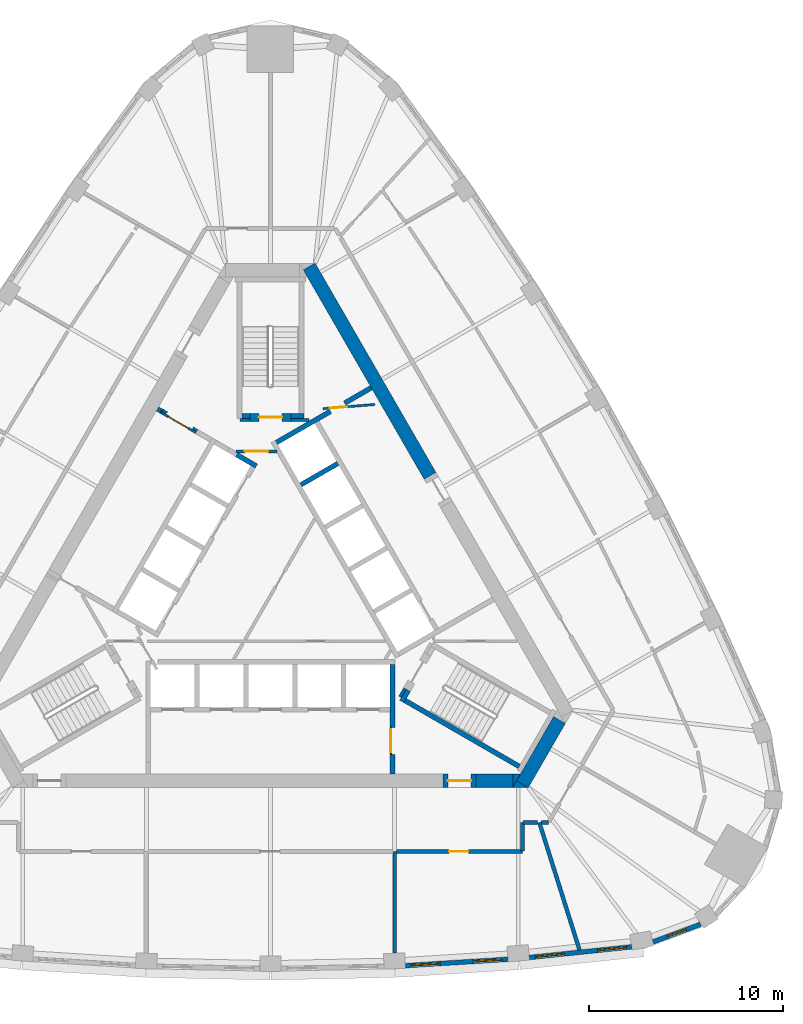
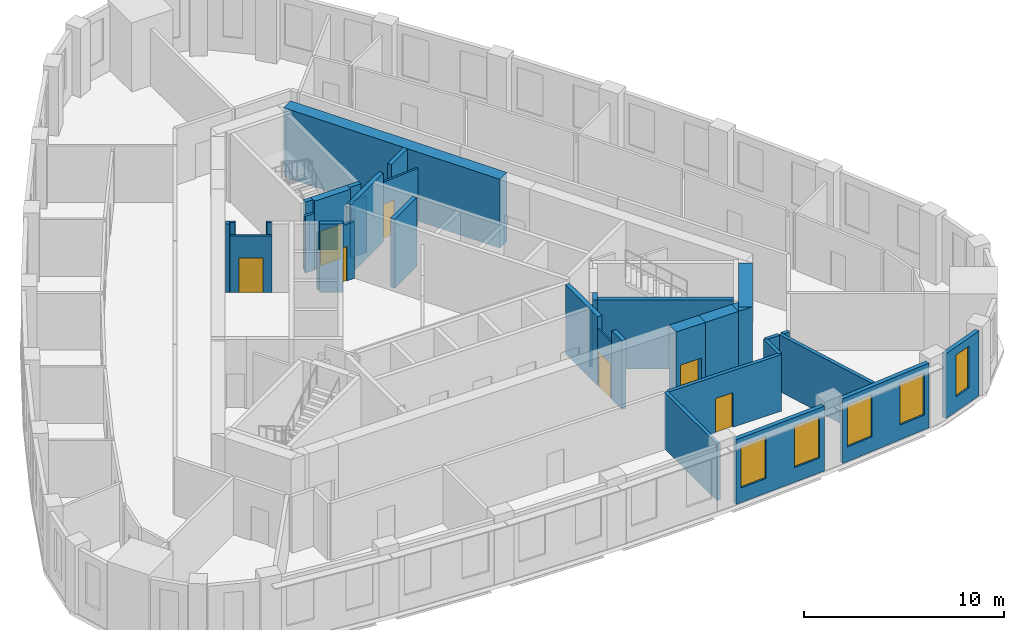
# One storey, part 6 of 11: 36 walls, 7 doors, 5 windows, 12 openings.
"""IFC4 building model written with IfcOpenShell, lengths in metres."""

from ifc_helpers import new_model, si_unit, direction, frame, frame_2d, origin, place, context, subcontext, project, spatial, polyline, rectangle, outline, extrude, material, layer, layer_set, type_object, element, fill, save


model = new_model("IFC4")

# Units and contexts
model_context = context("Model", 3, precision=1e-05, world=origin(), true_north=direction((0.0, 1.0)))
body_context = subcontext(model_context, "Body", "Model", "MODEL_VIEW")
ifc_project = project(units=[si_unit("LENGTHUNIT", "METRE"), si_unit("AREAUNIT", "SQUARE_METRE"), si_unit("VOLUMEUNIT", "CUBIC_METRE"), si_unit("PLANEANGLEUNIT", "RADIAN"), si_unit("MASSUNIT", "GRAM", prefix="KILO")], contexts=[model_context])

# Site, building, storey
site_placement = place(None, origin())
site = spatial("IfcSite", under=ifc_project, at=site_placement, CompositionType="ELEMENT")
building_placement = place(site_placement, origin())
building = spatial("IfcBuilding", under=site, at=building_placement, Name="Mestral Congress Tower", CompositionType="ELEMENT")
storey_placement = place(building_placement, frame((0.0, 0.0, 210.0)))
storey = spatial("IfcBuildingStorey", under=building, at=storey_placement, Name="L49", CompositionType="ELEMENT", Elevation=210.0)

# Walls
ifc_material_1 = material(Name="Fire-rated board partition")
ifc_layer_1 = layer(ifc_material_1, 0.14990234375)
ifc_layer_set_1 = layer_set([ifc_layer_1], Name="Fire-rated board partition")
wall_type_1 = type_object("IfcWallType", Name="Core partition 150", PredefinedType="PARTITIONING", material=ifc_layer_set_1)
wall_1_placement = place(storey_placement, frame((1.050048828125, 8.62548828125, 0.0), z_axis=(0.0, 0.0, 1.0), x_axis=(1.0, 0.0, 0.0)))
element("IfcWall", 1, at=wall_1_placement, inside=storey, type_object=wall_type_1, Name="L49 core wall", PredefinedType="PARTITIONING", context=body_context, shape_type="SweptSolid", body=[
    extrude(rectangle(XDim=0.9287109375, YDim=0.14990234375, at=frame_2d((0.46435546875, 0.0))), origin(), (0.0, 0.0, 1.0), 3.449951171875),
])
wall_2_placement = place(storey_placement, frame((-1.56396484375, 8.62548828125, 0.0), z_axis=(0.0, 0.0, 1.0), x_axis=(1.0, 0.0, 0.0)))
element("IfcWall", 2, at=wall_2_placement, inside=storey, type_object=wall_type_1, Name="L49 core wall", PredefinedType="PARTITIONING", context=body_context, shape_type="SweptSolid", body=[
    extrude(rectangle(XDim=0.513916015625, YDim=0.14990234375, at=frame_2d((0.2568359375, 0.0))), origin(), (0.0, 0.0, 1.0), 3.449951171875),
])
wall_3_placement = place(storey_placement, frame((6.68798828125, -5.667236328125, 0.0), z_axis=(0.0, 0.0, 1.0), x_axis=(0.499834152157, 0.86612113491, 0.0)))
element("IfcWall", 3, at=wall_3_placement, inside=storey, type_object=wall_type_1, Name="L49 core wall", PredefinedType="PARTITIONING", context=body_context, shape_type="SweptSolid", body=[
    extrude(rectangle(XDim=0.504638671875, YDim=0.14990234375, at=frame_2d((0.25244140625, 0.0))), origin(), (0.0, 0.0, 1.0), 3.449951171875),
])

# Wall, opening, door
wall_4_placement = place(storey_placement, frame((-1.765380859375, 7.0, 0.0), z_axis=(0.0, 0.0, 1.0), x_axis=(1.0, 0.0, 0.0)))
wall_4 = element("IfcWall", 4, at=wall_4_placement, inside=storey, type_object=wall_type_1, Name="L49 door wall", PredefinedType="PARTITIONING", context=body_context, shape_type="SweptSolid", body=[
    extrude(rectangle(XDim=2.10009765625, YDim=0.14990234375, at=frame_2d((1.050048828125, 0.0))), origin(), (0.0, 0.0, 1.0), 3.449951171875),
])
opening_1_placement = place(wall_4_placement, frame((0.449951171875, 0.0, 0.0)))
opening_1 = element("IfcOpeningElement", 5, at=opening_1_placement, cuts=wall_4, Name="Opening CD2-FF", PredefinedType="OPENING", context=body_context, shape_type="SweptSolid", body=[
    extrude(rectangle(XDim=1.199951171875, YDim=2.10009765625, at=frame_2d((0.60009765625, 1.050048828125))), frame((0.0, 0.0849609375, 0.0), z_axis=(0.0, -1.0, 0.0), x_axis=(1.0, 0.0, 0.0)), (0.0, 0.0, 1.0), 0.169921875),
])
ifc_material_2 = material(Name="Fire-rated steel door set", Category="steel")
door_type_1 = type_object("IfcDoorType", Name="Core door CD 1200x2100", OperationType="SINGLE_SWING_LEFT", PredefinedType="DOOR", material=ifc_material_2)
door_1_placement = place(opening_1_placement, origin())
door_1 = element("IfcDoor", 6, at=door_1_placement, inside=storey, type_object=door_type_1, Name="Door CD2-FF", OperationType="SINGLE_SWING_LEFT", OverallHeight=2.10009765625, OverallWidth=1.199951171875, PredefinedType="DOOR", context=body_context, shape_type="SweptSolid", body=[
    extrude(rectangle(XDim=1.199951171875, YDim=2.10009765625, at=frame_2d((0.60009765625, 1.050048828125))), frame((0.0, 0.02490234375, 0.0), z_axis=(0.0, -1.0, 0.0), x_axis=(1.0, 0.0, 0.0)), (0.0, 0.0, 1.0), 0.050048828125),
])
fill(opening_1, door_1)

ifc_layer_2 = layer(ifc_material_1, 0.1201171875)
ifc_layer_set_2 = layer_set([ifc_layer_2], Name="Fire-rated board partition")
wall_type_2 = type_object("IfcWallType", Name="Core partition 150 door-wall 120", PredefinedType="PARTITIONING", material=ifc_layer_set_2)
wall_5_placement = place(storey_placement, frame((5.3984375, 9.418701171875, 0.0), z_axis=(0.0, 0.0, 1.0), x_axis=(-0.996653416376, -0.081743303248, 0.0)))
wall_5 = element("IfcWall", 7, at=wall_5_placement, inside=storey, type_object=wall_type_2, Name="L49 door wall", PredefinedType="PARTITIONING", context=body_context, shape_type="SweptSolid", body=[
    extrude(rectangle(XDim=2.699951171875, YDim=0.119873046875, at=frame_2d((1.35009765625, 0.0))), origin(), (0.0, 0.0, 1.0), 3.449951171875),
])
opening_2_placement = place(wall_5_placement, frame((1.449951171875, 0.0, 0.0)))
opening_2 = element("IfcOpeningElement", 8, at=opening_2_placement, cuts=wall_5, Name="Opening TD2", PredefinedType="OPENING", context=body_context, shape_type="SweptSolid", body=[
    extrude(rectangle(XDim=0.89990234375, YDim=2.10009765625, at=frame_2d((0.449951171875, 1.050048828125))), frame((0.0, 0.06982421875, 0.0), z_axis=(0.0, -1.0, 0.0), x_axis=(1.0, 0.0, 0.0)), (0.0, 0.0, 1.0), 0.139892578125),
])
door_type_2 = type_object("IfcDoorType", Name="Core door SR 900x2100", OperationType="SINGLE_SWING_LEFT", PredefinedType="DOOR", material=ifc_material_2)
door_2_placement = place(opening_2_placement, origin())
door_2 = element("IfcDoor", 9, at=door_2_placement, inside=storey, type_object=door_type_2, Name="Door TD2", OperationType="SINGLE_SWING_LEFT", OverallHeight=2.10009765625, OverallWidth=0.89990234375, PredefinedType="DOOR", context=body_context, shape_type="SweptSolid", body=[
    extrude(rectangle(XDim=0.89990234375, YDim=2.10009765625, at=frame_2d((0.449951171875, 1.050048828125))), frame((0.0, 0.02490234375, 0.0), z_axis=(0.0, -1.0, 0.0), x_axis=(1.0, 0.0, 0.0)), (0.0, 0.0, 1.0), 0.050048828125),
])
fill(opening_2, door_2)

wall_6_placement = place(storey_placement, frame((-5.65869140625, 9.01171875, 0.0), z_axis=(0.0, 0.0, 1.0), x_axis=(0.866009402589, -0.500027713859, 0.0)))
wall_6 = element("IfcWall", 10, at=wall_6_placement, inside=storey, type_object=wall_type_2, Name="L49 door wall", PredefinedType="PARTITIONING", context=body_context, shape_type="SweptSolid", body=[
    extrude(rectangle(XDim=2.10009765625, YDim=0.1201171875, at=frame_2d((1.050048828125, 0.0))), origin(), (0.0, 0.0, 1.0), 3.449951171875),
])
opening_3_placement = place(wall_6_placement, frame((0.449951171875, 0.0, 0.0)))
opening_3 = element("IfcOpeningElement", 11, at=opening_3_placement, cuts=wall_6, Name="Opening LB2-WL2", PredefinedType="OPENING", context=body_context, shape_type="SweptSolid", body=[
    extrude(rectangle(XDim=1.199951171875, YDim=2.10009765625, at=frame_2d((0.60009765625, 1.050048828125))), frame((0.0, 0.070068359375, 0.0), z_axis=(0.0, -1.0, 0.0), x_axis=(1.0, 0.0, 0.0)), (0.0, 0.0, 1.0), 0.14013671875),
])
door_type_3 = type_object("IfcDoorType", Name="Core door LB 1200x2100", OperationType="SINGLE_SWING_LEFT", PredefinedType="DOOR", material=ifc_material_2)
door_3_placement = place(opening_3_placement, origin())
door_3 = element("IfcDoor", 12, at=door_3_placement, inside=storey, type_object=door_type_3, Name="Door LB2-WL2", OperationType="SINGLE_SWING_LEFT", OverallHeight=2.10009765625, OverallWidth=1.199951171875, PredefinedType="DOOR", context=body_context, shape_type="SweptSolid", body=[
    extrude(rectangle(XDim=1.199951171875, YDim=2.10009765625, at=frame_2d((0.60009765625, 1.050048828125))), frame((0.0, 0.02490234375, 0.0), z_axis=(0.0, -1.0, 0.0), x_axis=(1.0, 0.0, 0.0)), (0.0, 0.0, 1.0), 0.050048828125),
])
fill(opening_3, door_3)

ifc_layer_3 = layer(ifc_material_1, 0.090087890625)
ifc_layer_set_3 = layer_set([ifc_layer_3], Name="Fire-rated board partition")
wall_type_3 = type_object("IfcWallType", Name="Core partition 150 door-wall 90", PredefinedType="PARTITIONING", material=ifc_layer_set_3)
wall_7_placement = place(storey_placement, frame((6.219970703125, -7.23681640625, 0.0), z_axis=(0.0, 0.0, 1.0), x_axis=(0.0, -1.0, 0.0)))
wall_7 = element("IfcWall", 13, at=wall_7_placement, inside=storey, type_object=wall_type_3, Name="L49 door wall", PredefinedType="PARTITIONING", context=body_context, shape_type="SweptSolid", body=[
    extrude(rectangle(XDim=1.400146484375, YDim=0.090087890625, at=frame_2d((0.7001953125, 0.0))), origin(), (0.0, 0.0, 1.0), 3.449951171875),
])
opening_4_placement = place(wall_7_placement, frame((0.10009765625, 0.0, 0.0)))
opening_4 = element("IfcOpeningElement", 14, at=opening_4_placement, cuts=wall_7, Name="Opening LB0-WL1", PredefinedType="OPENING", context=body_context, shape_type="SweptSolid", body=[
    extrude(rectangle(XDim=1.199951171875, YDim=2.10009765625, at=frame_2d((0.60009765625, 1.050048828125))), frame((0.0, 0.054931640625, 0.0), z_axis=(0.0, -1.0, 0.0), x_axis=(1.0, 0.0, 0.0)), (0.0, 0.0, 1.0), 0.110107421875),
])
door_4_placement = place(opening_4_placement, origin())
door_4 = element("IfcDoor", 15, at=door_4_placement, inside=storey, type_object=door_type_3, Name="Door LB0-WL1", OperationType="SINGLE_SWING_LEFT", OverallHeight=2.10009765625, OverallWidth=1.199951171875, PredefinedType="DOOR", context=body_context, shape_type="SweptSolid", body=[
    extrude(rectangle(XDim=1.199951171875, YDim=2.10009765625, at=frame_2d((0.60009765625, 1.050048828125))), frame((0.0, 0.02490234375, 0.0), z_axis=(0.0, -1.0, 0.0), x_axis=(1.0, 0.0, 0.0)), (0.0, 0.0, 1.0), 0.050048828125),
])
fill(opening_4, door_4)

# Walls
ifc_material_3 = material(Name="Concrete C60/75", Category="concrete")
ifc_layer_4 = layer(ifc_material_3, 0.699951171875)
ifc_layer_set_4 = layer_set([ifc_layer_4], Name="Concrete C60/75")
wall_type_4 = type_object("IfcWallType", Name="Core wall RC 700", PredefinedType="SOLIDWALL", material=ifc_layer_set_4)
wall_8_placement = place(storey_placement, frame((13.002685546875, -10.1787109375, 0.0), z_axis=(0.0, 0.0, 1.0), x_axis=(0.499972675833, 0.866041178825, 0.0)))
element("IfcWall", 16, at=wall_8_placement, inside=storey, type_object=wall_type_4, Name="L49 core wall", PredefinedType="SOLIDWALL", context=body_context, shape_type="SweptSolid", body=[
    extrude(rectangle(XDim=3.828857421875, YDim=0.699951171875, at=frame_2d((1.91455078125, 0.0))), origin(), (0.0, 0.0, 1.0), 4.199951171875),
])
placement = place(storey_placement, origin())
element("IfcWall", 17, at=placement, inside=storey, type_object=wall_type_4, Name="L49 core wall", PredefinedType="SOLIDWALL", context=body_context, shape_type="SweptSolid", body=[
    extrude(outline(polyline([(12.698486328125, -10.00537109375), (13.295654296875, -10.35009765625), (12.49951171875, -10.35009765625), (12.698486328125, -10.00537109375)])), origin(), (0.0, 0.0, 1.0), 4.199951171875),
])
wall_10_placement = place(storey_placement, frame((10.6044921875, -10.0, 0.0), z_axis=(0.0, 0.0, 1.0), x_axis=(1.0, 0.0, 0.0)))
element("IfcWall", 18, at=wall_10_placement, inside=storey, type_object=wall_type_4, Name="L49 core wall", PredefinedType="SOLIDWALL", context=body_context, shape_type="SweptSolid", body=[
    extrude(rectangle(XDim=1.909423828125, YDim=0.699951171875, at=frame_2d((0.95458984375, 0.0))), origin(), (0.0, 0.0, 1.0), 4.199951171875),
])
element("IfcWall", 19, at=placement, inside=storey, type_object=wall_type_4, Name="L49 core wall", PredefinedType="SOLIDWALL", context=body_context, shape_type="SweptSolid", body=[
    extrude(outline(polyline([(12.90380859375, -9.64990234375), (12.515869140625, -10.322021484375), (12.515869140625, -9.64990234375), (12.90380859375, -9.64990234375)])), origin(), (0.0, 0.0, 1.0), 4.199951171875),
])
wall_12_placement = place(storey_placement, frame((8.235107421875, 5.736083984375, 0.0), z_axis=(0.0, 0.0, 1.0), x_axis=(-0.499983401189, 0.8660349869, 0.0)))
element("IfcWall", 20, at=wall_12_placement, inside=storey, type_object=wall_type_4, Name="L49 core wall", PredefinedType="SOLIDWALL", context=body_context, shape_type="SweptSolid", body=[
    extrude(rectangle(XDim=12.47216796875, YDim=0.699951171875, at=frame_2d((6.236083984375, 0.0))), origin(), (0.0, 0.0, 1.0), 4.199951171875),
])

# Wall, opening, door
wall_13_placement = place(storey_placement, frame((10.6044921875, -10.0, 0.0), z_axis=(0.0, 0.0, 1.0), x_axis=(-1.0, 0.0, 0.0)))
wall_13 = element("IfcWall", 21, at=wall_13_placement, inside=storey, type_object=wall_type_4, Name="L49 door wall", PredefinedType="SOLIDWALL", context=body_context, shape_type="SweptSolid", body=[
    extrude(rectangle(XDim=1.699951171875, YDim=0.699951171875, at=frame_2d((0.85009765625, 0.0))), origin(), (0.0, 0.0, 1.0), 4.199951171875),
])
opening_5_placement = place(wall_13_placement, frame((0.25, 0.0, 0.0)))
opening_5 = element("IfcOpeningElement", 22, at=opening_5_placement, cuts=wall_13, Name="Opening XD1", PredefinedType="OPENING", context=body_context, shape_type="SweptSolid", body=[
    extrude(rectangle(XDim=1.199951171875, YDim=2.10009765625, at=frame_2d((0.60009765625, 1.050048828125))), frame((0.0, 0.35986328125, 0.0), z_axis=(0.0, -1.0, 0.0), x_axis=(1.0, 0.0, 0.0)), (0.0, 0.0, 1.0), 0.719970703125),
])
door_type_4 = type_object("IfcDoorType", Name="Core door XD 1200x2100", OperationType="SINGLE_SWING_LEFT", PredefinedType="DOOR", material=ifc_material_2)
door_5_placement = place(opening_5_placement, origin())
door_5 = element("IfcDoor", 23, at=door_5_placement, inside=storey, type_object=door_type_4, Name="Door XD1", OperationType="SINGLE_SWING_LEFT", OverallHeight=2.10009765625, OverallWidth=1.199951171875, PredefinedType="DOOR", context=body_context, shape_type="SweptSolid", body=[
    extrude(rectangle(XDim=1.199951171875, YDim=2.10009765625, at=frame_2d((0.60009765625, 1.050048828125))), frame((0.0, 0.02490234375, 0.0), z_axis=(0.0, -1.0, 0.0), x_axis=(1.0, 0.0, 0.0)), (0.0, 0.0, 1.0), 0.050048828125),
])
fill(opening_5, door_5)

# Wall, openings, windows
ifc_material_4 = material(Name="Precast concrete C40/50 with limestone facing", Category="masonry")
ifc_layer_5 = layer(ifc_material_4, 0.239990234375)
ifc_layer_set_5 = layer_set([ifc_layer_5], Name="Precast concrete C40/50 with limestone facing")
wall_type_5 = type_object("IfcWallType", Name="Facade stone wall 240", PredefinedType="SOLIDWALL", material=ifc_layer_set_5)
wall_14_placement = place(storey_placement, frame((6.965087890625, -19.54296875, 0.0), z_axis=(0.0, 0.0, 1.0), x_axis=(0.9980633213, 0.062206162685, 0.0)))
wall_14 = element("IfcWall", 24, at=wall_14_placement, inside=storey, type_object=wall_type_5, Name="Facade wall F0-04", PredefinedType="SOLIDWALL", context=body_context, shape_type="SweptSolid", body=[
    extrude(rectangle(XDim=5.29833984375, YDim=0.239990234375, at=frame_2d((2.649169921875, 0.0))), origin(), (0.0, 0.0, 1.0), 3.949951171875),
])
opening_6_placement = place(wall_14_placement, frame((0.294677734375, 0.0, 0.89990234375)))
opening_6 = element("IfcOpeningElement", 25, at=opening_6_placement, cuts=wall_14, Name="Opening W4", PredefinedType="OPENING", context=body_context, shape_type="SweptSolid", body=[
    extrude(rectangle(XDim=1.5, YDim=2.550048828125, at=frame_2d((0.75, 1.27490234375))), frame((0.0, 0.1298828125, 0.0), z_axis=(0.0, -1.0, 0.0), x_axis=(1.0, 0.0, 0.0)), (0.0, 0.0, 1.0), 0.260009765625),
])
opening_7_placement = place(wall_14_placement, frame((3.503662109375, 0.0, 0.89990234375)))
opening_7 = element("IfcOpeningElement", 26, at=opening_7_placement, cuts=wall_14, Name="Opening W4", PredefinedType="OPENING", context=body_context, shape_type="SweptSolid", body=[
    extrude(rectangle(XDim=1.5, YDim=2.550048828125, at=frame_2d((0.75, 1.27490234375))), frame((0.0, 0.1298828125, 0.0), z_axis=(0.0, -1.0, 0.0), x_axis=(1.0, 0.0, 0.0)), (0.0, 0.0, 1.0), 0.260009765625),
])
ifc_material_5 = material(Name="Clear low-emissivity double glazing", Category="glass")
window_type_1 = type_object("IfcWindowType", Name="Facade punched window 1500 x 2550 sill 900", PartitioningType="SINGLE_PANEL", PredefinedType="WINDOW", material=ifc_material_5)
window_1_placement = place(opening_6_placement, origin())
window_1 = element("IfcWindow", 27, at=window_1_placement, inside=storey, type_object=window_type_1, Name="Window F0-04a", OverallHeight=2.550048828125, OverallWidth=1.5, PartitioningType="SINGLE_PANEL", PredefinedType="WINDOW", context=body_context, shape_type="SweptSolid", body=[
    extrude(rectangle(XDim=1.5, YDim=2.550048828125, at=frame_2d((0.75, 1.27490234375))), frame((0.0, 0.0400390625, 0.0), z_axis=(0.0, -1.0, 0.0), x_axis=(1.0, 0.0, 0.0)), (0.0, 0.0, 1.0), 0.06005859375),
])
fill(opening_6, window_1)
window_2_placement = place(opening_7_placement, origin())
window_2 = element("IfcWindow", 28, at=window_2_placement, inside=storey, type_object=window_type_1, Name="Window F0-04b", OverallHeight=2.550048828125, OverallWidth=1.5, PartitioningType="SINGLE_PANEL", PredefinedType="WINDOW", context=body_context, shape_type="SweptSolid", body=[
    extrude(rectangle(XDim=1.5, YDim=2.550048828125, at=frame_2d((0.75, 1.27490234375))), frame((0.0, 0.0400390625, 0.0), z_axis=(0.0, -1.0, 0.0), x_axis=(1.0, 0.0, 0.0)), (0.0, 0.0, 1.0), 0.06005859375),
])
fill(opening_7, window_2)

wall_15_placement = place(storey_placement, frame((13.362060546875, -19.12109375, 0.0), z_axis=(0.0, 0.0, 1.0), x_axis=(0.994621961215, 0.103571976272, 0.0)))
wall_15 = element("IfcWall", 29, at=wall_15_placement, inside=storey, type_object=wall_type_5, Name="Facade wall F0-05", PredefinedType="SOLIDWALL", context=body_context, shape_type="SweptSolid", body=[
    extrude(rectangle(XDim=5.310791015625, YDim=0.239990234375, at=frame_2d((2.6552734375, 0.0))), origin(), (0.0, 0.0, 1.0), 3.949951171875),
])
opening_8_placement = place(wall_15_placement, frame((0.306396484375, 0.0, 0.89990234375)))
opening_8 = element("IfcOpeningElement", 30, at=opening_8_placement, cuts=wall_15, Name="Opening W4", PredefinedType="OPENING", context=body_context, shape_type="SweptSolid", body=[
    extrude(rectangle(XDim=1.5, YDim=2.550048828125, at=frame_2d((0.75, 1.27490234375))), frame((0.0, 0.1298828125, 0.0), z_axis=(0.0, -1.0, 0.0), x_axis=(1.0, 0.0, 0.0)), (0.0, 0.0, 1.0), 0.260009765625),
])
opening_9_placement = place(wall_15_placement, frame((3.539306640625, 0.0, 0.89990234375)))
opening_9 = element("IfcOpeningElement", 31, at=opening_9_placement, cuts=wall_15, Name="Opening W4", PredefinedType="OPENING", context=body_context, shape_type="SweptSolid", body=[
    extrude(rectangle(XDim=1.5, YDim=2.550048828125, at=frame_2d((0.75, 1.27490234375))), frame((0.0, 0.1298828125, 0.0), z_axis=(0.0, -1.0, 0.0), x_axis=(1.0, 0.0, 0.0)), (0.0, 0.0, 1.0), 0.260009765625),
])
window_3_placement = place(opening_8_placement, origin())
window_3 = element("IfcWindow", 32, at=window_3_placement, inside=storey, type_object=window_type_1, Name="Window F0-05a", OverallHeight=2.550048828125, OverallWidth=1.5, PartitioningType="SINGLE_PANEL", PredefinedType="WINDOW", context=body_context, shape_type="SweptSolid", body=[
    extrude(rectangle(XDim=1.5, YDim=2.550048828125, at=frame_2d((0.75, 1.27490234375))), frame((0.0, 0.0400390625, 0.0), z_axis=(0.0, -1.0, 0.0), x_axis=(1.0, 0.0, 0.0)), (0.0, 0.0, 1.0), 0.06005859375),
])
fill(opening_8, window_3)
window_4_placement = place(opening_9_placement, origin())
window_4 = element("IfcWindow", 33, at=window_4_placement, inside=storey, type_object=window_type_1, Name="Window F0-05b", OverallHeight=2.550048828125, OverallWidth=1.5, PartitioningType="SINGLE_PANEL", PredefinedType="WINDOW", context=body_context, shape_type="SweptSolid", body=[
    extrude(rectangle(XDim=1.5, YDim=2.550048828125, at=frame_2d((0.75, 1.27490234375))), frame((0.0, 0.0400390625, 0.0), z_axis=(0.0, -1.0, 0.0), x_axis=(1.0, 0.0, 0.0)), (0.0, 0.0, 1.0), 0.06005859375),
])
fill(opening_9, window_4)

# Wall, opening, window
wall_16_placement = place(storey_placement, frame((19.747802734375, -18.31396484375, 0.0), z_axis=(0.0, 0.0, 1.0), x_axis=(0.937569171184, 0.347798863203, 0.0)))
wall_16 = element("IfcWall", 34, at=wall_16_placement, inside=storey, type_object=wall_type_5, Name="Facade wall K0-0", PredefinedType="SOLIDWALL", context=body_context, shape_type="SweptSolid", body=[
    extrude(rectangle(XDim=2.609130859375, YDim=0.239990234375, at=frame_2d((1.3046875, 0.0))), origin(), (0.0, 0.0, 1.0), 3.949951171875),
])
opening_10_placement = place(wall_16_placement, frame((0.8046875, 0.0, 0.89990234375)))
opening_10 = element("IfcOpeningElement", 35, at=opening_10_placement, cuts=wall_16, Name="Opening W5", PredefinedType="OPENING", context=body_context, shape_type="SweptSolid", body=[
    extrude(rectangle(XDim=1.0, YDim=2.550048828125, at=frame_2d((0.5, 1.27490234375))), frame((0.0, 0.1298828125, 0.0), z_axis=(0.0, -1.0, 0.0), x_axis=(1.0, 0.0, 0.0)), (0.0, 0.0, 1.0), 0.260009765625),
])
window_type_2 = type_object("IfcWindowType", Name="Facade punched window 1000 x 2550 sill 900", PartitioningType="SINGLE_PANEL", PredefinedType="WINDOW", material=ifc_material_5)
window_5_placement = place(opening_10_placement, origin())
window_5 = element("IfcWindow", 36, at=window_5_placement, inside=storey, type_object=window_type_2, Name="Window K0-0", OverallHeight=2.550048828125, OverallWidth=1.0, PartitioningType="SINGLE_PANEL", PredefinedType="WINDOW", context=body_context, shape_type="SweptSolid", body=[
    extrude(rectangle(XDim=1.0, YDim=2.550048828125, at=frame_2d((0.5, 1.27490234375))), frame((0.0, 0.0400390625, 0.0), z_axis=(0.0, -1.0, 0.0), x_axis=(1.0, 0.0, 0.0)), (0.0, 0.0, 1.0), 0.06005859375),
])
fill(opening_10, window_5)

# Walls
ifc_material_6 = material(Name="Dense masonry wall, plastered", Category="masonry")
ifc_layer_6 = layer(ifc_material_6, 0.199951171875)
ifc_layer_set_6 = layer_set([ifc_layer_6], Name="Dense masonry wall, plastered")
wall_type_6 = type_object("IfcWallType", Name="Office tenancy wall 200", PredefinedType="PARTITIONING", material=ifc_layer_set_6)
wall_17_placement = place(storey_placement, frame((6.416748046875, -13.64990234375, 0.0), z_axis=(0.0, 0.0, 1.0), x_axis=(0.0, -1.0, 0.0)))
element("IfcWall", 37, at=wall_17_placement, inside=storey, type_object=wall_type_6, Name="Tenancy wall", PredefinedType="PARTITIONING", context=body_context, shape_type="SweptSolid", body=[
    extrude(rectangle(XDim=5.246826171875, YDim=0.199951171875, at=frame_2d((2.62353515625, 0.0))), origin(), (0.0, 0.0, 1.0), 3.449951171875),
])
wall_18_placement = place(storey_placement, frame((13.875244140625, -12.14990234375, 0.0), z_axis=(0.0, 0.0, 1.0), x_axis=(0.3005606746, -0.953762696316, 0.0)))
element("IfcWall", 38, at=wall_18_placement, inside=storey, type_object=wall_type_6, Name="Tenancy wall", PredefinedType="PARTITIONING", context=body_context, shape_type="SweptSolid", body=[
    extrude(rectangle(XDim=6.900390625, YDim=0.199951171875, at=frame_2d((3.4501953125, 0.0))), origin(), (0.0, 0.0, 1.0), 3.449951171875),
])

# Wall, opening, door
wall_19_placement = place(storey_placement, frame((6.516845703125, -13.64990234375, 0.0), z_axis=(0.0, 0.0, 1.0), x_axis=(1.0, 0.0, 0.0)))
wall_19 = element("IfcWall", 39, at=wall_19_placement, inside=storey, type_object=wall_type_6, Name="Tenancy wall", PredefinedType="PARTITIONING", context=body_context, shape_type="SweptSolid", body=[
    extrude(rectangle(XDim=6.483154296875, YDim=0.199951171875, at=frame_2d((3.24169921875, 0.0))), origin(), (0.0, 0.0, 1.0), 3.449951171875),
])
opening_11_placement = place(wall_19_placement, frame((2.699951171875, 0.0, 0.0)))
opening_11 = element("IfcOpeningElement", 40, at=opening_11_placement, cuts=wall_19, Name="Opening O06-003", PredefinedType="OPENING", context=body_context, shape_type="SweptSolid", body=[
    extrude(rectangle(XDim=1.0, YDim=2.10009765625, at=frame_2d((0.5, 1.050048828125))), frame((0.0, 0.10986328125, 0.0), z_axis=(0.0, -1.0, 0.0), x_axis=(1.0, 0.0, 0.0)), (0.0, 0.0, 1.0), 0.219970703125),
])
ifc_material_7 = material(Name="Fire-rated timber door set", Category="wood")
door_type_5 = type_object("IfcDoorType", Name="Office tenancy entrance door 1000x2100", OperationType="SINGLE_SWING_LEFT", PredefinedType="DOOR", material=ifc_material_7)
door_6_placement = place(opening_11_placement, origin())
door_6 = element("IfcDoor", 41, at=door_6_placement, inside=storey, type_object=door_type_5, Name="Door O06-003", OperationType="SINGLE_SWING_LEFT", OverallHeight=2.10009765625, OverallWidth=1.0, PredefinedType="DOOR", context=body_context, shape_type="SweptSolid", body=[
    extrude(rectangle(XDim=1.0, YDim=2.10009765625, at=frame_2d((0.5, 1.050048828125))), frame((0.0, 0.02490234375, 0.0), z_axis=(0.0, -1.0, 0.0), x_axis=(1.0, 0.0, 0.0)), (0.0, 0.0, 1.0), 0.050048828125),
])
fill(opening_11, door_6)

# Walls
wall_20_placement = place(storey_placement, frame((13.0, -13.6201171875, 0.0), z_axis=(0.0, 0.0, 1.0), x_axis=(0.0, 1.0, 0.0)))
element("IfcWall", 42, at=wall_20_placement, inside=storey, type_object=wall_type_6, Name="Tenancy wall", PredefinedType="PARTITIONING", context=body_context, shape_type="SweptSolid", body=[
    extrude(rectangle(XDim=1.47021484375, YDim=0.199951171875, at=frame_2d((0.735107421875, 0.0))), origin(), (0.0, 0.0, 1.0), 3.449951171875),
])
wall_21_placement = place(storey_placement, frame((13.030029296875, -12.14990234375, 0.0), z_axis=(0.0, 0.0, 1.0), x_axis=(1.0, 0.0, 0.0)))
element("IfcWall", 43, at=wall_21_placement, inside=storey, type_object=wall_type_6, Name="Tenancy wall", PredefinedType="PARTITIONING", context=body_context, shape_type="SweptSolid", body=[
    extrude(rectangle(XDim=0.740234375, YDim=0.199951171875, at=frame_2d((0.3701171875, 0.0))), origin(), (0.0, 0.0, 1.0), 3.449951171875),
])
wall_22_placement = place(storey_placement, frame((13.97998046875, -12.14990234375, 0.0), z_axis=(0.0, 0.0, 1.0), x_axis=(1.0, 0.0, 0.0)))
element("IfcWall", 44, at=wall_22_placement, inside=storey, type_object=wall_type_6, Name="Tenancy wall", PredefinedType="PARTITIONING", context=body_context, shape_type="SweptSolid", body=[
    extrude(rectangle(XDim=0.3671875, YDim=0.199951171875, at=frame_2d((0.18359375, 0.0))), origin(), (0.0, 0.0, 1.0), 3.449951171875),
])
ifc_layer_7 = layer(ifc_material_3, 0.25)
ifc_layer_set_7 = layer_set([ifc_layer_7], Name="Concrete C60/75")
wall_type_7 = type_object("IfcWallType", Name="Shaft wall RC 250", PredefinedType="SOLIDWALL", material=ifc_layer_set_7)
wall_23_placement = place(storey_placement, frame((6.300048828125, -7.239990234375, 0.0), z_axis=(0.0, 0.0, 1.0), x_axis=(0.0, 1.0, 0.0)))
element("IfcWall", 45, at=wall_23_placement, inside=storey, type_object=wall_type_7, Name="L49 core wall", PredefinedType="SOLIDWALL", context=body_context, shape_type="SweptSolid", body=[
    extrude(rectangle(XDim=3.239990234375, YDim=0.25, at=frame_2d((1.6201171875, 0.0))), origin(), (0.0, 0.0, 1.0), 4.199951171875),
])
wall_24_placement = place(storey_placement, frame((6.300048828125, -9.64990234375, 0.0), z_axis=(0.0, 0.0, 1.0), x_axis=(0.0, 1.0, 0.0)))
element("IfcWall", 46, at=wall_24_placement, inside=storey, type_object=wall_type_7, Name="L49 core wall", PredefinedType="SOLIDWALL", context=body_context, shape_type="SweptSolid", body=[
    extrude(rectangle(XDim=1.0078125, YDim=0.25, at=frame_2d((0.50390625, 0.0))), origin(), (0.0, 0.0, 1.0), 4.199951171875),
])
wall_25_placement = place(storey_placement, frame((3.10009765625, 9.064453125, 0.0), z_axis=(0.0, 0.0, 1.0), x_axis=(-0.866030133475, -0.499991807846, 0.0)))
element("IfcWall", 47, at=wall_25_placement, inside=storey, type_object=wall_type_7, Name="L49 core wall", PredefinedType="SOLIDWALL", context=body_context, shape_type="SweptSolid", body=[
    extrude(rectangle(XDim=3.216796875, YDim=0.25, at=frame_2d((1.6083984375, 0.0))), origin(), (0.0, 0.0, 1.0), 4.199951171875),
])
wall_26_placement = place(storey_placement, frame((1.57421875, 5.273681640625, 0.0), z_axis=(0.0, 0.0, 1.0), x_axis=(0.866028486751, 0.499994660107, 0.0)))
element("IfcWall", 48, at=wall_26_placement, inside=storey, type_object=wall_type_7, Name="L49 core wall", PredefinedType="SOLIDWALL", context=body_context, shape_type="SweptSolid", body=[
    extrude(rectangle(XDim=2.19970703125, YDim=0.25, at=frame_2d((1.099853515625, 0.0))), origin(), (0.0, 0.0, 1.0), 4.199951171875),
])
wall_27_placement = place(storey_placement, frame((3.82958984375, 9.485595703125, 0.0), z_axis=(0.0, 0.0, 1.0), x_axis=(0.865986202621, 0.500067892261, 0.0)))
element("IfcWall", 49, at=wall_27_placement, inside=storey, type_object=wall_type_7, Name="L49 core wall", PredefinedType="SOLIDWALL", context=body_context, shape_type="SweptSolid", body=[
    extrude(rectangle(XDim=1.590576171875, YDim=0.25, at=frame_2d((0.79541015625, 0.0))), origin(), (0.0, 0.0, 1.0), 4.199951171875),
])
wall_28_placement = place(storey_placement, frame((-0.7275390625, 6.23974609375, 0.0), z_axis=(0.0, 0.0, 1.0), x_axis=(-0.866002680491, 0.500039355833, 0.0)))
element("IfcWall", 50, at=wall_28_placement, inside=storey, type_object=wall_type_7, Name="L49 core wall", PredefinedType="SOLIDWALL", context=body_context, shape_type="SweptSolid", body=[
    extrude(rectangle(XDim=1.17822265625, YDim=0.25, at=frame_2d((0.589111328125, 0.0))), origin(), (0.0, 0.0, 1.0), 4.199951171875),
])
wall_29_placement = place(storey_placement, frame((-5.62939453125, 9.06982421875, 0.0), z_axis=(0.0, 0.0, 1.0), x_axis=(-0.866185586049, 0.49972245349, 0.0)))
element("IfcWall", 51, at=wall_29_placement, inside=storey, type_object=wall_type_7, Name="L49 core wall", PredefinedType="SOLIDWALL", context=body_context, shape_type="SweptSolid", body=[
    extrude(rectangle(XDim=0.2197265625, YDim=0.25, at=frame_2d((0.10986328125, 0.0))), origin(), (0.0, 0.0, 1.0), 4.199951171875),
])
element("IfcWall", 52, at=placement, inside=storey, type_object=wall_type_7, Name="L49 core wall", PredefinedType="SOLIDWALL", context=body_context, shape_type="SweptSolid", body=[
    extrude(outline(polyline([(-3.748291015625, 8.128173828125), (-3.813232421875, 8.015380859375), (-4.026611328125, 8.138671875), (-4.0166015625, 8.156005859375), (-4.007568359375, 8.17333984375), (-4.000244140625, 8.191650390625), (-3.994873046875, 8.21044921875), (-3.991455078125, 8.229736328125), (-3.98974609375, 8.24951171875), (-3.989990234375, 8.267822265625), (-3.748291015625, 8.128173828125)])), origin(), (0.0, 0.0, 1.0), 4.199951171875),
])
element("IfcWall", 53, at=placement, inside=storey, type_object=wall_type_7, Name="L49 core wall", PredefinedType="SOLIDWALL", context=body_context, shape_type="SweptSolid", body=[
    extrude(outline(polyline([(-5.688720703125, 8.959716796875), (-5.690185546875, 8.960693359375), (-5.565185546875, 9.177001953125), (-5.318603515625, 9.03466796875), (-5.334716796875, 9.02587890625), (-5.3505859375, 9.0146484375), (-5.36572265625, 9.001953125), (-5.37939453125, 8.98779296875), (-5.3916015625, 8.972412109375), (-5.402099609375, 8.955810546875), (-5.412109375, 8.938720703125), (-5.628662109375, 9.063720703125), (-5.628662109375, 9.063720703125), (-5.688720703125, 8.959716796875)])), origin(), (0.0, 0.0, 1.0), 4.199951171875),
])
ifc_layer_8 = layer(ifc_material_3, 0.25)
ifc_layer_set_8 = layer_set([ifc_layer_8], Name="Concrete C60/75")
wall_type_8 = type_object("IfcWallType", Name="Stair wall RC 250", PredefinedType="SOLIDWALL", material=ifc_layer_set_8)
wall_32_placement = place(storey_placement, frame((12.83984375, -9.2607421875, 0.0), z_axis=(0.0, 0.0, 1.0), x_axis=(-0.866013990052, 0.500019768644, 0.0)))
element("IfcWall", 54, at=wall_32_placement, inside=storey, type_object=wall_type_8, Name="L49 core wall", PredefinedType="SOLIDWALL", context=body_context, shape_type="SweptSolid", body=[
    extrude(rectangle(XDim=6.800048828125, YDim=0.25, at=frame_2d((3.39990234375, 0.0))), origin(), (0.0, 0.0, 1.0), 4.199951171875),
])
wall_33_placement = place(storey_placement, frame((7.11279296875, -5.330078125, 0.0), z_axis=(0.0, 0.0, 1.0), x_axis=(-0.499965889992, -0.866045096311, 0.0)))
element("IfcWall", 55, at=wall_33_placement, inside=storey, type_object=wall_type_8, Name="L49 core wall", PredefinedType="SOLIDWALL", context=body_context, shape_type="SweptSolid", body=[
    extrude(rectangle(XDim=0.66552734375, YDim=0.25, at=frame_2d((0.332763671875, 0.0))), origin(), (0.0, 0.0, 1.0), 4.199951171875),
])
wall_34_placement = place(storey_placement, frame((1.050048828125, 8.824951171875, 0.0), z_axis=(0.0, 0.0, 1.0), x_axis=(1.0, 0.0, 0.0)))
element("IfcWall", 56, at=wall_34_placement, inside=storey, type_object=wall_type_8, Name="L49 core wall", PredefinedType="SOLIDWALL", context=body_context, shape_type="SweptSolid", body=[
    extrude(rectangle(XDim=0.675048828125, YDim=0.25, at=frame_2d((0.33740234375, 0.0))), origin(), (0.0, 0.0, 1.0), 4.199951171875),
])
wall_35_placement = place(storey_placement, frame((-1.47509765625, 8.824951171875, 0.0), z_axis=(0.0, 0.0, 1.0), x_axis=(1.0, 0.0, 0.0)))
element("IfcWall", 57, at=wall_35_placement, inside=storey, type_object=wall_type_8, Name="L49 core wall", PredefinedType="SOLIDWALL", context=body_context, shape_type="SweptSolid", body=[
    extrude(rectangle(XDim=0.425048828125, YDim=0.25, at=frame_2d((0.21240234375, 0.0))), origin(), (0.0, 0.0, 1.0), 4.199951171875),
])

# Wall, opening, door
ifc_layer_9 = layer(ifc_material_3, 0.39990234375)
ifc_layer_set_9 = layer_set([ifc_layer_9], Name="Concrete C60/75")
wall_type_9 = type_object("IfcWallType", Name="Stair wall RC 250 door-wall 400", PredefinedType="SOLIDWALL", material=ifc_layer_set_9)
wall_36_placement = place(storey_placement, frame((1.050048828125, 8.75, 0.0), z_axis=(0.0, 0.0, 1.0), x_axis=(-1.0, 0.0, 0.0)))
wall_36 = element("IfcWall", 58, at=wall_36_placement, inside=storey, type_object=wall_type_9, Name="L49 door wall", PredefinedType="SOLIDWALL", context=body_context, shape_type="SweptSolid", body=[
    extrude(rectangle(XDim=2.10009765625, YDim=0.39990234375, at=frame_2d((1.050048828125, 0.0))), origin(), (0.0, 0.0, 1.0), 4.199951171875),
])
opening_12_placement = place(wall_36_placement, frame((0.449951171875, 0.0, 0.0)))
opening_12 = element("IfcOpeningElement", 59, at=opening_12_placement, cuts=wall_36, Name="Opening ST-D2", PredefinedType="OPENING", context=body_context, shape_type="SweptSolid", body=[
    extrude(rectangle(XDim=1.199951171875, YDim=2.10009765625, at=frame_2d((0.60009765625, 1.050048828125))), frame((0.0, 0.2099609375, 0.0), z_axis=(0.0, -1.0, 0.0), x_axis=(1.0, 0.0, 0.0)), (0.0, 0.0, 1.0), 0.419921875),
])
door_type_6 = type_object("IfcDoorType", Name="Core door ST 1200x2100", OperationType="SINGLE_SWING_LEFT", PredefinedType="DOOR", material=ifc_material_2)
door_7_placement = place(opening_12_placement, origin())
door_7 = element("IfcDoor", 60, at=door_7_placement, inside=storey, type_object=door_type_6, Name="Door ST-D2", OperationType="SINGLE_SWING_LEFT", OverallHeight=2.10009765625, OverallWidth=1.199951171875, PredefinedType="DOOR", context=body_context, shape_type="SweptSolid", body=[
    extrude(rectangle(XDim=1.199951171875, YDim=2.10009765625, at=frame_2d((0.60009765625, 1.050048828125))), frame((0.0, 0.02490234375, 0.0), z_axis=(0.0, -1.0, 0.0), x_axis=(1.0, 0.0, 0.0)), (0.0, 0.0, 1.0), 0.050048828125),
])
fill(opening_12, door_7)

save(model, "model.ifc")
